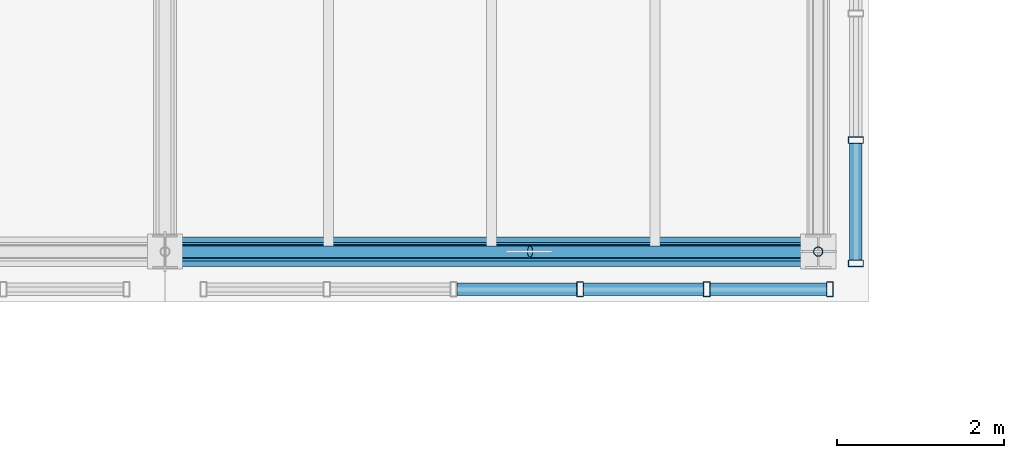
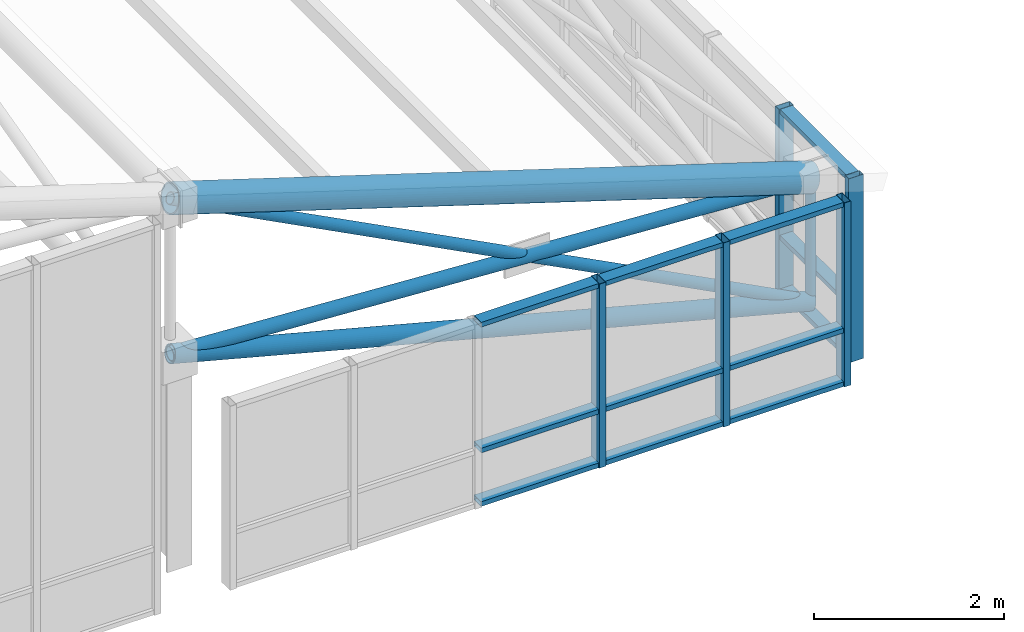
# One storey, part 25 of 144: 23 members, 2 elements without a shape of their own.
"""IFC4 building model written with IfcOpenShell, lengths in metres."""

import ifcopenshell
import ifcopenshell.guid

model = None  # the IFC model being written
_history = None  # IfcOwnerHistory: only IFC2X3 demands one
_inside = {}  # id of a spatial element -> (the spatial element, [elements in it])
_under = {}  # id of a project, library or spatial element -> (it, [spatial elements below it])
_declared = {}  # id of a project -> (the project, [libraries it declares])
_typed = {}  # id of a type object -> (the type object, [elements of that type])
_made_of = {}  # id of a material, layer set ... -> (it, [elements and type objects made of it])


def new_model(schema):
    """Start an empty IFC model of exactly this schema.

    Asked for "IFC4X3", IfcOpenShell would pick the latest addendum, in which some entities
    have other attributes; the version numbers below select the first issue.
    IFC2X3 requires an IfcOwnerHistory on every rooted entity: one is made here for all.
    """
    global model, _history
    if schema == "IFC4X3":
        model = ifcopenshell.file(schema_version=(4, 3, 0, 0))
    else:
        model = ifcopenshell.file(schema=schema)
    _inside.clear()
    _under.clear()
    _declared.clear()
    _typed.clear()
    _made_of.clear()
    _history = None
    if model.schema == "IFC2X3":
        org = make("IfcOrganization", Name="unknown")
        user = make(
            "IfcPersonAndOrganization",
            ThePerson=make("IfcPerson", FamilyName="unknown"),
            TheOrganization=org,
        )
        app = make(
            "IfcApplication",
            ApplicationDeveloper=org,
            Version="unknown",
            ApplicationFullName="unknown",
            ApplicationIdentifier="unknown",
        )
        _history = make(
            "IfcOwnerHistory",
            OwningUser=user,
            OwningApplication=app,
            ChangeAction="ADDED",
            CreationDate=0,
        )
    return model


def make(cls, **values):
    """One entity of the class cls with the attributes given. An attribute that is None is left unset."""
    return model.create_entity(
        cls, **{name: value for name, value in values.items() if value is not None}
    )


def rooted(cls, **values):
    """An entity with a GlobalId (a new one), such as an element, a storey or a relation."""
    return make(cls, GlobalId=ifcopenshell.guid.new(), OwnerHistory=_history, **values)


def si_unit(unit_type, name, prefix=None):
    """IfcSIUnit, for example si_unit("LENGTHUNIT", "METRE", prefix="MILLI")."""
    return make("IfcSIUnit", UnitType=unit_type, Prefix=prefix, Name=name)


def assignment(units):
    """IfcUnitAssignment: the units of a project."""
    return None if units is None else make("IfcUnitAssignment", Units=units)


def point(xyz):
    """IfcCartesianPoint."""
    return None if xyz is None else make("IfcCartesianPoint", Coordinates=xyz)


def direction(xyz):
    """IfcDirection."""
    return None if xyz is None else make("IfcDirection", DirectionRatios=xyz)


def frame(location, z_axis=None, x_axis=None):
    """IfcAxis2Placement3D, a coordinate frame: its origin and axes. An axis left out is left unset."""
    return make(
        "IfcAxis2Placement3D",
        Location=point(location),
        Axis=direction(z_axis),
        RefDirection=direction(x_axis),
    )


def frame_2d(location, x_axis=None):
    """IfcAxis2Placement2D, a coordinate frame in the plane: its origin and x axis."""
    return make(
        "IfcAxis2Placement2D", Location=point(location), RefDirection=direction(x_axis)
    )


def origin():
    """The frame at (0, 0, 0) with its axes left unset."""
    return frame((0.0, 0.0, 0.0))


def origin_2d():
    """The frame at (0, 0) in the plane with its x axis left unset."""
    return frame_2d((0.0, 0.0))


def place(relative_to, where):
    """IfcLocalPlacement: puts the frame where relative to a parent placement (None: the world)."""
    return make(
        "IfcLocalPlacement", PlacementRelTo=relative_to, RelativePlacement=where
    )


def context(
    kind, dimensions, precision=None, world=None, true_north=None, identifier=None
):
    """IfcGeometricRepresentationContext, for example the 3D "Model" context."""
    return make(
        "IfcGeometricRepresentationContext",
        ContextIdentifier=identifier,
        ContextType=kind,
        CoordinateSpaceDimension=dimensions,
        Precision=precision,
        WorldCoordinateSystem=world,
        TrueNorth=true_north,
    )


def subcontext(parent, identifier, kind, view, scale=None):
    """IfcGeometricRepresentationSubContext, for example "Body" below "Model"."""
    return make(
        "IfcGeometricRepresentationSubContext",
        ContextIdentifier=identifier,
        ContextType=kind,
        ParentContext=parent,
        TargetScale=scale,
        TargetView=view,
    )


def project(units=None, contexts=None):
    """IfcProject with its units and contexts."""
    return rooted(
        "IfcProject",
        Name="project",
        RepresentationContexts=contexts,
        UnitsInContext=assignment(units),
    )


def spatial(cls, under=None, at=None, **own):
    """A site, building, storey or space (cls), placed at a placement, below another one or the project."""
    s = rooted(cls, ObjectPlacement=at, **own)
    if under is not None:
        _under.setdefault(under.id(), (under, []))[1].append(s)
    return s


def profile(cls, at=None, kind="AREA", **sizes):
    """A parametric profile (cls). Its sizes go by their IFC names, for example OverallWidth=200.0."""
    return make(cls, ProfileType=kind, Position=at, **sizes)


def hollow_rectangle(**sizes):
    """IfcRectangleHollowProfileDef."""
    return profile("IfcRectangleHollowProfileDef", **sizes)


def hollow_circle(**sizes):
    """IfcCircleHollowProfileDef."""
    return profile("IfcCircleHollowProfileDef", **sizes)


def extrude(swept, where, along, depth):
    """IfcExtrudedAreaSolid: the profile swept, set in the frame where, extruded along a direction by depth."""
    return make(
        "IfcExtrudedAreaSolid",
        SweptArea=swept,
        Position=where,
        ExtrudedDirection=direction(along),
        Depth=depth,
    )


def shape(context_of_items, identifier, shape_type, items):
    """IfcShapeRepresentation: the items that make up one representation, for example the "Body"."""
    return make(
        "IfcShapeRepresentation",
        ContextOfItems=context_of_items,
        RepresentationIdentifier=identifier,
        RepresentationType=shape_type,
        Items=items,
    )


def material(Name=None, Category=None):
    """IfcMaterial."""
    return make("IfcMaterial", Name=Name, Category=Category)


def layer(
    of_material, thickness, ventilated=None, Name=None, Category=None, Priority=None
):
    """IfcMaterialLayer: one layer of a wall or slab, of a material (None: an air gap)."""
    return make(
        "IfcMaterialLayer",
        Material=of_material,
        LayerThickness=thickness,
        IsVentilated=ventilated,
        Name=Name,
        Category=Category,
        Priority=Priority,
    )


def layer_set(layers, Name=None):
    """IfcMaterialLayerSet."""
    return make("IfcMaterialLayerSet", MaterialLayers=layers, LayerSetName=Name)


def material_profile(
    of_material, cross_section, Name=None, Category=None, Priority=None
):
    """IfcMaterialProfile: a cross section and its material."""
    return make(
        "IfcMaterialProfile",
        Name=Name,
        Material=of_material,
        Profile=cross_section,
        Priority=Priority,
        Category=Category,
    )


def profile_set(profiles, Name=None, composite=None):
    """IfcMaterialProfileSet."""
    return make(
        "IfcMaterialProfileSet",
        Name=Name,
        MaterialProfiles=profiles,
        CompositeProfile=composite,
    )


def made_of(thing, what):
    """Note that an element or type object is made of a material, layer set ...; save() writes the relation."""
    if what is not None:
        _made_of.setdefault(what.id(), (what, []))[1].append(thing)
    return thing


def type_object(cls, material=None, **own):
    """A type object (cls), such as IfcWallType, which elements share."""
    return made_of(rooted(cls, **own), material)


def element(
    cls,
    number,
    at=None,
    inside=None,
    cuts=None,
    type_object=None,
    material=None,
    context=None,
    identifier="Body",
    shape_type=None,
    held_by="IfcProductDefinitionShape",
    body=None,
    shapes=None,
    **own,
):
    """One element of the class cls, such as IfcWall. Its Tag is "e" and its number.

    at: its placement. inside: the storey or other place that contains it. cuts: it is an
    opening in that element (IfcRelVoidsElement). A single representation is given by context,
    identifier, shape_type and body (its items); several are given by shapes. held_by: the class
    of the entity that holds the representations. save() writes the other relations.
    """
    e = rooted(cls, Tag="e%d" % number, ObjectPlacement=at, **own)
    if body is not None:
        shapes = [shape(context, identifier, shape_type, body)]
    if shapes is not None:
        e.Representation = make(held_by, Representations=shapes)
    if inside is not None:
        _inside.setdefault(inside.id(), (inside, []))[1].append(e)
    if cuts is not None:
        rooted(
            "IfcRelVoidsElement", RelatingBuildingElement=cuts, RelatedOpeningElement=e
        )
    if type_object is not None:
        _typed.setdefault(type_object.id(), (type_object, []))[1].append(e)
    return made_of(e, material)


def aggregate(whole, parts):
    """IfcRelAggregates: a whole, such as a stair, and the parts it consists of."""
    return rooted("IfcRelAggregates", RelatingObject=whole, RelatedObjects=parts)


def save(model, path):
    """Write the relations noted so far, then the file.

    IfcRelAggregates (storeys below a building ...), IfcRelContainedInSpatialStructure (elements
    in a storey), IfcRelDefinesByType, IfcRelAssociatesMaterial and IfcRelDeclares: one each for
    every whole, place, type object, material and project.
    """
    for whole, parts in _under.values():
        aggregate(whole, parts)
    for where, things in _inside.values():
        rooted(
            "IfcRelContainedInSpatialStructure",
            RelatedElements=things,
            RelatingStructure=where,
        )
    for kind, things in _typed.values():
        rooted("IfcRelDefinesByType", RelatedObjects=things, RelatingType=kind)
    for what, things in _made_of.values():
        rooted("IfcRelAssociatesMaterial", RelatedObjects=things, RelatingMaterial=what)
    for by, libraries in _declared.values():
        rooted("IfcRelDeclares", RelatingContext=by, RelatedDefinitions=libraries)
    model.write(path)


model = new_model("IFC4")

# Units and contexts
model_context = context("Model", 3, precision=1e-05, world=origin(), true_north=direction((0.0, 1.0)))
body_context = subcontext(model_context, "Body", "Model", "MODEL_VIEW")
ifc_project = project(units=[si_unit("LENGTHUNIT", "METRE"), si_unit("AREAUNIT", "SQUARE_METRE"), si_unit("VOLUMEUNIT", "CUBIC_METRE"), si_unit("PLANEANGLEUNIT", "RADIAN"), si_unit("MASSUNIT", "GRAM", prefix="KILO")], contexts=[model_context])

# Site, building, storey
site_placement = place(None, origin())
site = spatial("IfcSite", under=ifc_project, at=site_placement, CompositionType="ELEMENT")
building_placement = place(site_placement, origin())
building = spatial("IfcBuilding", under=site, at=building_placement, Name="Zayran Congress Hotel", CompositionType="ELEMENT")
storey_placement = place(building_placement, frame((0.0, 0.0, 19.199951171875)))
storey = spatial("IfcBuildingStorey", under=building, at=storey_placement, Name="L04", CompositionType="ELEMENT", Elevation=19.199951171875)

# Members
ifc_material_1 = material(Name="Steel S355", Category="steel")
ifc_material_profile_1 = material_profile(ifc_material_1, hollow_circle(Radius=0.177734375, WallThickness=0.01611328125, at=origin_2d()), Name="CHS 355.6x16")
ifc_profile_set_1 = profile_set([ifc_material_profile_1], Name="Steel S355")
member_type_1 = type_object("IfcMemberType", Name="TP-SF-TC1", PredefinedType="CHORD", material=ifc_profile_set_1)
member_1_placement = place(storey_placement, frame((84.0, 68.199951171875, 4.652099609375), z_axis=(0.953669693314, 0.0, -0.300855639892), x_axis=(0.0, 1.0, 0.0)))
element("IfcMember", 1, at=member_1_placement, inside=storey, type_object=member_type_1, Name="Space Frame Top Chord X 490", PredefinedType="CHORD", context=body_context, shape_type="SweptSolid", body=[
    extrude(hollow_circle(Radius=0.177734375, WallThickness=0.01611328125, at=origin_2d()), origin(), (0.0, 0.0, 1.0), 8.178955078125),
])
ifc_material_profile_2 = material_profile(ifc_material_1, hollow_circle(Radius=0.109619140625, WallThickness=0.010009765625, at=origin_2d()), Name="CHS 219.1x10")
ifc_profile_set_2 = profile_set([ifc_material_profile_2], Name="Steel S355")
member_type_2 = type_object("IfcMemberType", Name="TP-SF-BC1", PredefinedType="CHORD", material=ifc_profile_set_2)
member_2_placement = place(storey_placement, frame((84.0, 68.199951171875, 2.650146484375), z_axis=(0.967153699015, 0.0, -0.254192294301), x_axis=(0.0, 1.0, 0.0)))
element("IfcMember", 2, at=member_2_placement, inside=storey, type_object=member_type_2, Name="Space Frame Bottom Chord X 491", PredefinedType="CHORD", context=body_context, shape_type="SweptSolid", body=[
    extrude(hollow_circle(Radius=0.109619140625, WallThickness=0.010009765625, at=origin_2d()), origin(), (0.0, 0.0, 1.0), 8.06494140625),
])
ifc_material_profile_3 = material_profile(ifc_material_1, hollow_circle(Radius=0.084228515625, WallThickness=0.008056640625, at=origin_2d()), Name="CHS 168.3x8")
ifc_profile_set_3 = profile_set([ifc_material_profile_3], Name="Steel S355")
member_type_3 = type_object("IfcMemberType", Name="TP-SF-DG1", PredefinedType="BRACE", material=ifc_profile_set_3)
member_3_placement = place(storey_placement, frame((84.0, 68.199951171875, 2.650146484375), z_axis=(0.998275019581, 0.0, -0.058711032013), x_axis=(0.0, 1.0, 0.0)))
element("IfcMember", 3, at=member_3_placement, inside=storey, type_object=member_type_3, Name="Space Frame Web Diagonal X 492", PredefinedType="BRACE", context=body_context, shape_type="SweptSolid", body=[
    extrude(hollow_circle(Radius=0.084228515625, WallThickness=0.008056640625, at=origin_2d()), origin(), (0.0, 0.0, 1.0), 7.8134765625),
])
ifc_material_profile_4 = material_profile(ifc_material_1, hollow_circle(Radius=0.06982421875, WallThickness=0.00634765625, at=origin_2d()), Name="CHS 139.7x6.3")
ifc_profile_set_4 = profile_set([ifc_material_profile_4], Name="Steel S355")
member_type_4 = type_object("IfcMemberType", Name="TP-SF-DG2", PredefinedType="BRACE", material=ifc_profile_set_4)
member_4_placement = place(storey_placement, frame((84.0, 68.199951171875, 4.652099609375), z_axis=(0.887399308867, 0.0, -0.461001590694), x_axis=(0.0, 1.0, 0.0)))
element("IfcMember", 4, at=member_4_placement, inside=storey, type_object=member_type_4, Name="Space Frame Counter Diagonal X Upper 493", PredefinedType="BRACE", context=body_context, shape_type="SweptSolid", body=[
    extrude(hollow_circle(Radius=0.06982421875, WallThickness=0.00634765625, at=origin_2d()), origin(), (0.0, 0.0, 1.0), 4.88232421875),
])
member_5_placement = place(storey_placement, frame((88.359130859375, 68.199951171875, 2.387451171875), z_axis=(0.887419803116, 0.0, -0.4609621384), x_axis=(0.0, 1.0, 0.0)))
element("IfcMember", 5, at=member_5_placement, inside=storey, type_object=member_type_4, Name="Space Frame Counter Diagonal X Lower 76", PredefinedType="BRACE", context=body_context, shape_type="SweptSolid", body=[
    extrude(hollow_circle(Radius=0.06982421875, WallThickness=0.00634765625, at=origin_2d()), origin(), (0.0, 0.0, 1.0), 3.87744140625),
])
ifc_material_profile_5 = material_profile(ifc_material_1, hollow_circle(Radius=0.05712890625, WallThickness=0.00634765625, at=origin_2d()), Name="CHS 114.3x6.3")
ifc_profile_set_5 = profile_set([ifc_material_profile_5], Name="Steel S355")
member_type_5 = type_object("IfcMemberType", Name="TP-SF-DG3", PredefinedType="BRACE", material=ifc_profile_set_5)
member_6_placement = place(storey_placement, frame((91.800048828125, 68.199951171875, 0.60009765625), z_axis=(0.0, 0.0, 1.0), x_axis=(0.0, 1.0, 0.0)))
element("IfcMember", 6, at=member_6_placement, inside=storey, type_object=member_type_5, Name="Space Frame Web Strut 547", PredefinedType="BRACE", context=body_context, shape_type="SweptSolid", body=[
    extrude(hollow_circle(Radius=0.05712890625, WallThickness=0.00634765625, at=origin_2d()), origin(), (0.0, 0.0, 1.0), 1.59130859375),
])

# Curtain wall, members
ifc_material_2 = material(Name="Anodised aluminium and low-E insulated glass", Category="aluminium")
ifc_layer_1 = layer(ifc_material_2, 0.179931640625)
ifc_layer_set_1 = layer_set([ifc_layer_1], Name="Anodised aluminium and low-E insulated glass")
curtain_wall_type_1 = type_object("IfcCurtainWallType", Name="CW-V1CL-L04-CW-41-7560-2370", PredefinedType="USERDEFINED", material=ifc_layer_set_1)
curtain_wall_1_placement = place(storey_placement, origin())
curtain_wall_1 = element("IfcCurtainWall", 7, at=curtain_wall_1_placement, inside=storey, type_object=curtain_wall_type_1, Name="CW-V1CLE-0", ObjectType="CURTAIN WALL", PredefinedType="USERDEFINED")
ifc_material_3 = material(Name="Anodised aluminium framing", Category="aluminium")
ifc_material_profile_6 = material_profile(ifc_material_3, hollow_rectangle(XDim=0.080078125, YDim=0.179931640625, WallThickness=0.0048828125, at=origin_2d()), Name="RHS 180x80x5")
ifc_profile_set_6 = profile_set([ifc_material_profile_6], Name="Anodised aluminium framing")
member_type_6 = type_object("IfcMemberType", Name="TP-CWM-01", PredefinedType="MULLION", material=ifc_profile_set_6)
member_7_placement = place(storey_placement, frame((92.25, 68.06005859375, -0.219970703125), z_axis=(0.0, 0.0, 1.0), x_axis=(0.0, 1.0, 0.0)))
member_7 = element("IfcMember", 8, at=member_7_placement, type_object=member_type_6, Name="CW-V1CLE-0-M00", PredefinedType="MULLION", context=body_context, shape_type="SweptSolid", body=[
    extrude(hollow_rectangle(XDim=0.080078125, YDim=0.179931640625, WallThickness=0.0048828125, at=origin_2d()), origin(), (0.0, 0.0, 1.0), 2.3701171875),
])
member_8_placement = place(storey_placement, frame((92.25, 69.531982421875, -0.219970703125), z_axis=(0.0, 0.0, 1.0), x_axis=(0.0, 1.0, 0.0)))
member_8 = element("IfcMember", 9, at=member_8_placement, type_object=member_type_6, Name="CW-V1CLE-0-M01", PredefinedType="MULLION", context=body_context, shape_type="SweptSolid", body=[
    extrude(hollow_rectangle(XDim=0.080078125, YDim=0.179931640625, WallThickness=0.0048828125, at=origin_2d()), origin(), (0.0, 0.0, 1.0), 2.3701171875),
])

ifc_layer_2 = layer(ifc_material_2, 0.179931640625)
ifc_layer_set_2 = layer_set([ifc_layer_2], Name="Anodised aluminium and low-E insulated glass")
curtain_wall_type_2 = type_object("IfcCurtainWallType", Name="CW-V1CL-L04-CW-11-7560-2370", PredefinedType="USERDEFINED", material=ifc_layer_set_2)
curtain_wall_2_placement = place(storey_placement, origin())
curtain_wall_2 = element("IfcCurtainWall", 10, at=curtain_wall_2_placement, inside=storey, type_object=curtain_wall_type_2, Name="CW-V1CLS-9", ObjectType="CURTAIN WALL", PredefinedType="USERDEFINED")
member_9_placement = place(storey_placement, frame((88.9560546875, 67.75, -0.219970703125), z_axis=(0.0, 0.0, 1.0), x_axis=(1.0, 0.0, 0.0)))
member_9 = element("IfcMember", 11, at=member_9_placement, type_object=member_type_6, Name="CW-V1CLS-9-M03", PredefinedType="MULLION", context=body_context, shape_type="SweptSolid", body=[
    extrude(hollow_rectangle(XDim=0.080078125, YDim=0.179931640625, WallThickness=0.0048828125, at=origin_2d()), origin(), (0.0, 0.0, 1.0), 2.3701171875),
])
member_10_placement = place(storey_placement, frame((90.468017578125, 67.75, -0.219970703125), z_axis=(0.0, 0.0, 1.0), x_axis=(1.0, 0.0, 0.0)))
member_10 = element("IfcMember", 12, at=member_10_placement, type_object=member_type_6, Name="CW-V1CLS-9-M04", PredefinedType="MULLION", context=body_context, shape_type="SweptSolid", body=[
    extrude(hollow_rectangle(XDim=0.080078125, YDim=0.179931640625, WallThickness=0.0048828125, at=origin_2d()), origin(), (0.0, 0.0, 1.0), 2.3701171875),
])
member_11_placement = place(storey_placement, frame((91.93994140625, 67.75, -0.219970703125), z_axis=(0.0, 0.0, 1.0), x_axis=(1.0, 0.0, 0.0)))
member_11 = element("IfcMember", 13, at=member_11_placement, type_object=member_type_6, Name="CW-V1CLS-9-M05", PredefinedType="MULLION", context=body_context, shape_type="SweptSolid", body=[
    extrude(hollow_rectangle(XDim=0.080078125, YDim=0.179931640625, WallThickness=0.0048828125, at=origin_2d()), origin(), (0.0, 0.0, 1.0), 2.3701171875),
])

# Member
ifc_material_profile_7 = material_profile(ifc_material_3, hollow_rectangle(XDim=0.06005859375, YDim=0.14990234375, WallThickness=0.00390625, at=origin_2d()), Name="RHS 150x60x4")
ifc_profile_set_7 = profile_set([ifc_material_profile_7], Name="Anodised aluminium framing")
member_type_7 = type_object("IfcMemberType", Name="TP-CWT-01", PredefinedType="USERDEFINED", material=ifc_profile_set_7)
member_12_placement = place(storey_placement, frame((92.25, 68.10009765625, -0.18994140625), z_axis=(0.0, 1.0, 0.0), x_axis=(0.0, 0.0, 1.0)))
member_12 = element("IfcMember", 14, at=member_12_placement, type_object=member_type_7, Name="CW-V1CLE-0-T00-0", ObjectType="TRANSOM", PredefinedType="USERDEFINED", context=body_context, shape_type="SweptSolid", body=[
    extrude(hollow_rectangle(XDim=0.06005859375, YDim=0.14990234375, WallThickness=0.00390625, at=origin_2d()), origin(), (0.0, 0.0, 1.0), 1.391845703125),
])

member_13_placement = place(storey_placement, frame((92.25, 68.10009765625, 0.5), z_axis=(0.0, 1.0, 0.0), x_axis=(0.0, 0.0, 1.0)))
member_13 = element("IfcMember", 15, at=member_13_placement, type_object=member_type_7, Name="CW-V1CLE-0-T00-1", ObjectType="TRANSOM", PredefinedType="USERDEFINED", context=body_context, shape_type="SweptSolid", body=[
    extrude(hollow_rectangle(XDim=0.06005859375, YDim=0.14990234375, WallThickness=0.00390625, at=origin_2d()), origin(), (0.0, 0.0, 1.0), 1.391845703125),
])

member_14_placement = place(storey_placement, frame((92.25, 68.10009765625, 2.1201171875), z_axis=(0.0, 1.0, 0.0), x_axis=(0.0, 0.0, 1.0)))
member_14 = element("IfcMember", 16, at=member_14_placement, type_object=member_type_7, Name="CW-V1CLE-0-T00-2", ObjectType="TRANSOM", PredefinedType="USERDEFINED", context=body_context, shape_type="SweptSolid", body=[
    extrude(hollow_rectangle(XDim=0.06005859375, YDim=0.14990234375, WallThickness=0.00390625, at=origin_2d()), origin(), (0.0, 0.0, 1.0), 1.391845703125),
])

aggregate(curtain_wall_1, [member_7, member_8, member_12, member_13, member_14])

member_15_placement = place(storey_placement, frame((87.48388671875, 67.75, -0.18994140625), z_axis=(1.0, 0.0, 0.0), x_axis=(0.0, 0.0, 1.0)))
member_15 = element("IfcMember", 17, at=member_15_placement, type_object=member_type_7, Name="CW-V1CLS-9-T02-0", ObjectType="TRANSOM", PredefinedType="USERDEFINED", context=body_context, shape_type="SweptSolid", body=[
    extrude(hollow_rectangle(XDim=0.06005859375, YDim=0.14990234375, WallThickness=0.00390625, at=origin_2d()), origin(), (0.0, 0.0, 1.0), 1.43212890625),
])

member_16_placement = place(storey_placement, frame((87.48388671875, 67.75, 0.5), z_axis=(1.0, 0.0, 0.0), x_axis=(0.0, 0.0, 1.0)))
member_16 = element("IfcMember", 18, at=member_16_placement, type_object=member_type_7, Name="CW-V1CLS-9-T02-1", ObjectType="TRANSOM", PredefinedType="USERDEFINED", context=body_context, shape_type="SweptSolid", body=[
    extrude(hollow_rectangle(XDim=0.06005859375, YDim=0.14990234375, WallThickness=0.00390625, at=origin_2d()), origin(), (0.0, 0.0, 1.0), 1.43212890625),
])

member_17_placement = place(storey_placement, frame((87.48388671875, 67.75, 2.1201171875), z_axis=(1.0, 0.0, 0.0), x_axis=(0.0, 0.0, 1.0)))
member_17 = element("IfcMember", 19, at=member_17_placement, type_object=member_type_7, Name="CW-V1CLS-9-T02-2", ObjectType="TRANSOM", PredefinedType="USERDEFINED", context=body_context, shape_type="SweptSolid", body=[
    extrude(hollow_rectangle(XDim=0.06005859375, YDim=0.14990234375, WallThickness=0.00390625, at=origin_2d()), origin(), (0.0, 0.0, 1.0), 1.43212890625),
])

member_18_placement = place(storey_placement, frame((88.99609375, 67.75, -0.18994140625), z_axis=(1.0, 0.0, 0.0), x_axis=(0.0, 0.0, 1.0)))
member_18 = element("IfcMember", 20, at=member_18_placement, type_object=member_type_7, Name="CW-V1CLS-9-T03-0", ObjectType="TRANSOM", PredefinedType="USERDEFINED", context=body_context, shape_type="SweptSolid", body=[
    extrude(hollow_rectangle(XDim=0.06005859375, YDim=0.14990234375, WallThickness=0.00390625, at=origin_2d()), origin(), (0.0, 0.0, 1.0), 1.431884765625),
])

member_19_placement = place(storey_placement, frame((88.99609375, 67.75, 0.5), z_axis=(1.0, 0.0, 0.0), x_axis=(0.0, 0.0, 1.0)))
member_19 = element("IfcMember", 21, at=member_19_placement, type_object=member_type_7, Name="CW-V1CLS-9-T03-1", ObjectType="TRANSOM", PredefinedType="USERDEFINED", context=body_context, shape_type="SweptSolid", body=[
    extrude(hollow_rectangle(XDim=0.06005859375, YDim=0.14990234375, WallThickness=0.00390625, at=origin_2d()), origin(), (0.0, 0.0, 1.0), 1.431884765625),
])

member_20_placement = place(storey_placement, frame((88.99609375, 67.75, 2.1201171875), z_axis=(1.0, 0.0, 0.0), x_axis=(0.0, 0.0, 1.0)))
member_20 = element("IfcMember", 22, at=member_20_placement, type_object=member_type_7, Name="CW-V1CLS-9-T03-2", ObjectType="TRANSOM", PredefinedType="USERDEFINED", context=body_context, shape_type="SweptSolid", body=[
    extrude(hollow_rectangle(XDim=0.06005859375, YDim=0.14990234375, WallThickness=0.00390625, at=origin_2d()), origin(), (0.0, 0.0, 1.0), 1.431884765625),
])

member_21_placement = place(storey_placement, frame((90.508056640625, 67.75, -0.18994140625), z_axis=(1.0, 0.0, 0.0), x_axis=(0.0, 0.0, 1.0)))
member_21 = element("IfcMember", 23, at=member_21_placement, type_object=member_type_7, Name="CW-V1CLS-9-T04-0", ObjectType="TRANSOM", PredefinedType="USERDEFINED", context=body_context, shape_type="SweptSolid", body=[
    extrude(hollow_rectangle(XDim=0.06005859375, YDim=0.14990234375, WallThickness=0.00390625, at=origin_2d()), origin(), (0.0, 0.0, 1.0), 1.391845703125),
])

member_22_placement = place(storey_placement, frame((90.508056640625, 67.75, 0.5), z_axis=(1.0, 0.0, 0.0), x_axis=(0.0, 0.0, 1.0)))
member_22 = element("IfcMember", 24, at=member_22_placement, type_object=member_type_7, Name="CW-V1CLS-9-T04-1", ObjectType="TRANSOM", PredefinedType="USERDEFINED", context=body_context, shape_type="SweptSolid", body=[
    extrude(hollow_rectangle(XDim=0.06005859375, YDim=0.14990234375, WallThickness=0.00390625, at=origin_2d()), origin(), (0.0, 0.0, 1.0), 1.391845703125),
])

member_23_placement = place(storey_placement, frame((90.508056640625, 67.75, 2.1201171875), z_axis=(1.0, 0.0, 0.0), x_axis=(0.0, 0.0, 1.0)))
member_23 = element("IfcMember", 25, at=member_23_placement, type_object=member_type_7, Name="CW-V1CLS-9-T04-2", ObjectType="TRANSOM", PredefinedType="USERDEFINED", context=body_context, shape_type="SweptSolid", body=[
    extrude(hollow_rectangle(XDim=0.06005859375, YDim=0.14990234375, WallThickness=0.00390625, at=origin_2d()), origin(), (0.0, 0.0, 1.0), 1.391845703125),
])

aggregate(curtain_wall_2, [member_9, member_10, member_11, member_15, member_16, member_17, member_18, member_19, member_20, member_21, member_22, member_23])

save(model, "model.ifc")
